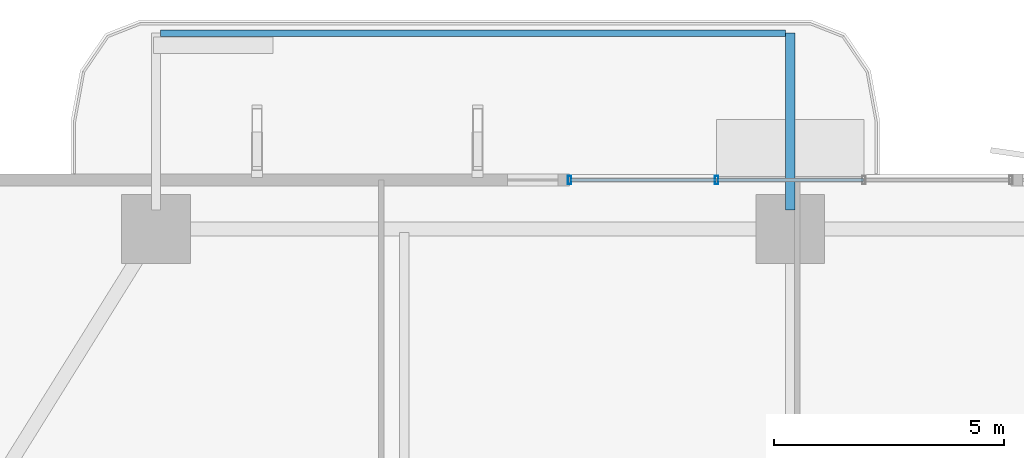
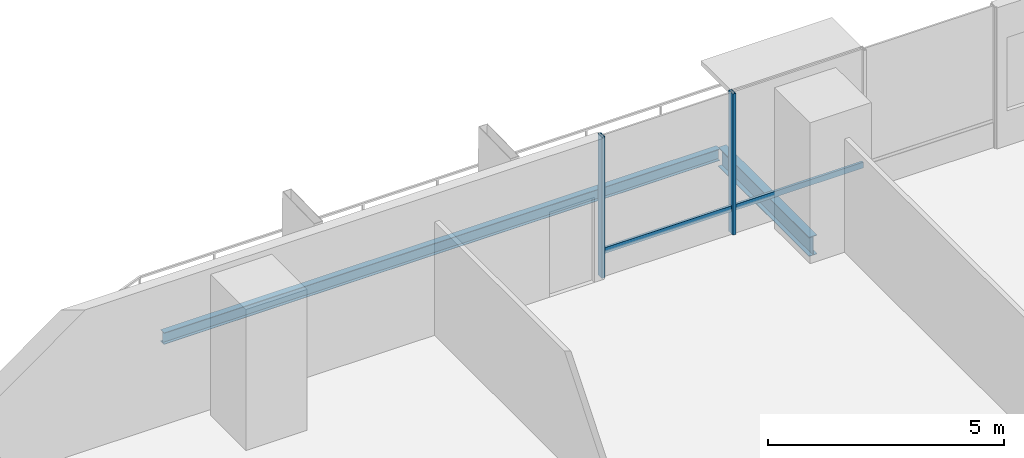
# One storey, part 11 of 24: 4 members, 2 beams, 1 element without a shape of its own.
"""IFC4 building model written with IfcOpenShell, lengths in metres."""

import ifcopenshell
import ifcopenshell.guid

model = None  # the IFC model being written
_history = None  # IfcOwnerHistory: only IFC2X3 demands one
_inside = {}  # id of a spatial element -> (the spatial element, [elements in it])
_under = {}  # id of a project, library or spatial element -> (it, [spatial elements below it])
_declared = {}  # id of a project -> (the project, [libraries it declares])
_typed = {}  # id of a type object -> (the type object, [elements of that type])
_made_of = {}  # id of a material, layer set ... -> (it, [elements and type objects made of it])


def new_model(schema):
    """Start an empty IFC model of exactly this schema.

    Asked for "IFC4X3", IfcOpenShell would pick the latest addendum, in which some entities
    have other attributes; the version numbers below select the first issue.
    IFC2X3 requires an IfcOwnerHistory on every rooted entity: one is made here for all.
    """
    global model, _history
    if schema == "IFC4X3":
        model = ifcopenshell.file(schema_version=(4, 3, 0, 0))
    else:
        model = ifcopenshell.file(schema=schema)
    _inside.clear()
    _under.clear()
    _declared.clear()
    _typed.clear()
    _made_of.clear()
    _history = None
    if model.schema == "IFC2X3":
        org = make("IfcOrganization", Name="unknown")
        user = make(
            "IfcPersonAndOrganization",
            ThePerson=make("IfcPerson", FamilyName="unknown"),
            TheOrganization=org,
        )
        app = make(
            "IfcApplication",
            ApplicationDeveloper=org,
            Version="unknown",
            ApplicationFullName="unknown",
            ApplicationIdentifier="unknown",
        )
        _history = make(
            "IfcOwnerHistory",
            OwningUser=user,
            OwningApplication=app,
            ChangeAction="ADDED",
            CreationDate=0,
        )
    return model


def make(cls, **values):
    """One entity of the class cls with the attributes given. An attribute that is None is left unset."""
    return model.create_entity(
        cls, **{name: value for name, value in values.items() if value is not None}
    )


def rooted(cls, **values):
    """An entity with a GlobalId (a new one), such as an element, a storey or a relation."""
    return make(cls, GlobalId=ifcopenshell.guid.new(), OwnerHistory=_history, **values)


def si_unit(unit_type, name, prefix=None):
    """IfcSIUnit, for example si_unit("LENGTHUNIT", "METRE", prefix="MILLI")."""
    return make("IfcSIUnit", UnitType=unit_type, Prefix=prefix, Name=name)


def assignment(units):
    """IfcUnitAssignment: the units of a project."""
    return None if units is None else make("IfcUnitAssignment", Units=units)


def point(xyz):
    """IfcCartesianPoint."""
    return None if xyz is None else make("IfcCartesianPoint", Coordinates=xyz)


def direction(xyz):
    """IfcDirection."""
    return None if xyz is None else make("IfcDirection", DirectionRatios=xyz)


def frame(location, z_axis=None, x_axis=None):
    """IfcAxis2Placement3D, a coordinate frame: its origin and axes. An axis left out is left unset."""
    return make(
        "IfcAxis2Placement3D",
        Location=point(location),
        Axis=direction(z_axis),
        RefDirection=direction(x_axis),
    )


def frame_2d(location, x_axis=None):
    """IfcAxis2Placement2D, a coordinate frame in the plane: its origin and x axis."""
    return make(
        "IfcAxis2Placement2D", Location=point(location), RefDirection=direction(x_axis)
    )


def origin():
    """The frame at (0, 0, 0) with its axes left unset."""
    return frame((0.0, 0.0, 0.0))


def origin_2d():
    """The frame at (0, 0) in the plane with its x axis left unset."""
    return frame_2d((0.0, 0.0))


def place(relative_to, where):
    """IfcLocalPlacement: puts the frame where relative to a parent placement (None: the world)."""
    return make(
        "IfcLocalPlacement", PlacementRelTo=relative_to, RelativePlacement=where
    )


def context(
    kind, dimensions, precision=None, world=None, true_north=None, identifier=None
):
    """IfcGeometricRepresentationContext, for example the 3D "Model" context."""
    return make(
        "IfcGeometricRepresentationContext",
        ContextIdentifier=identifier,
        ContextType=kind,
        CoordinateSpaceDimension=dimensions,
        Precision=precision,
        WorldCoordinateSystem=world,
        TrueNorth=true_north,
    )


def subcontext(parent, identifier, kind, view, scale=None):
    """IfcGeometricRepresentationSubContext, for example "Body" below "Model"."""
    return make(
        "IfcGeometricRepresentationSubContext",
        ContextIdentifier=identifier,
        ContextType=kind,
        ParentContext=parent,
        TargetScale=scale,
        TargetView=view,
    )


def project(units=None, contexts=None):
    """IfcProject with its units and contexts."""
    return rooted(
        "IfcProject",
        Name="project",
        RepresentationContexts=contexts,
        UnitsInContext=assignment(units),
    )


def spatial(cls, under=None, at=None, **own):
    """A site, building, storey or space (cls), placed at a placement, below another one or the project."""
    s = rooted(cls, ObjectPlacement=at, **own)
    if under is not None:
        _under.setdefault(under.id(), (under, []))[1].append(s)
    return s


def profile(cls, at=None, kind="AREA", **sizes):
    """A parametric profile (cls). Its sizes go by their IFC names, for example OverallWidth=200.0."""
    return make(cls, ProfileType=kind, Position=at, **sizes)


def hollow_rectangle(**sizes):
    """IfcRectangleHollowProfileDef."""
    return profile("IfcRectangleHollowProfileDef", **sizes)


def i_section(**sizes):
    """IfcIShapeProfileDef."""
    return profile("IfcIShapeProfileDef", **sizes)


def extrude(swept, where, along, depth):
    """IfcExtrudedAreaSolid: the profile swept, set in the frame where, extruded along a direction by depth."""
    return make(
        "IfcExtrudedAreaSolid",
        SweptArea=swept,
        Position=where,
        ExtrudedDirection=direction(along),
        Depth=depth,
    )


def shape(context_of_items, identifier, shape_type, items):
    """IfcShapeRepresentation: the items that make up one representation, for example the "Body"."""
    return make(
        "IfcShapeRepresentation",
        ContextOfItems=context_of_items,
        RepresentationIdentifier=identifier,
        RepresentationType=shape_type,
        Items=items,
    )


def material(Name=None, Category=None):
    """IfcMaterial."""
    return make("IfcMaterial", Name=Name, Category=Category)


def layer(
    of_material, thickness, ventilated=None, Name=None, Category=None, Priority=None
):
    """IfcMaterialLayer: one layer of a wall or slab, of a material (None: an air gap)."""
    return make(
        "IfcMaterialLayer",
        Material=of_material,
        LayerThickness=thickness,
        IsVentilated=ventilated,
        Name=Name,
        Category=Category,
        Priority=Priority,
    )


def layer_set(layers, Name=None):
    """IfcMaterialLayerSet."""
    return make("IfcMaterialLayerSet", MaterialLayers=layers, LayerSetName=Name)


def material_profile(
    of_material, cross_section, Name=None, Category=None, Priority=None
):
    """IfcMaterialProfile: a cross section and its material."""
    return make(
        "IfcMaterialProfile",
        Name=Name,
        Material=of_material,
        Profile=cross_section,
        Priority=Priority,
        Category=Category,
    )


def profile_set(profiles, Name=None, composite=None):
    """IfcMaterialProfileSet."""
    return make(
        "IfcMaterialProfileSet",
        Name=Name,
        MaterialProfiles=profiles,
        CompositeProfile=composite,
    )


def made_of(thing, what):
    """Note that an element or type object is made of a material, layer set ...; save() writes the relation."""
    if what is not None:
        _made_of.setdefault(what.id(), (what, []))[1].append(thing)
    return thing


def type_object(cls, material=None, **own):
    """A type object (cls), such as IfcWallType, which elements share."""
    return made_of(rooted(cls, **own), material)


def element(
    cls,
    number,
    at=None,
    inside=None,
    cuts=None,
    type_object=None,
    material=None,
    context=None,
    identifier="Body",
    shape_type=None,
    held_by="IfcProductDefinitionShape",
    body=None,
    shapes=None,
    **own,
):
    """One element of the class cls, such as IfcWall. Its Tag is "e" and its number.

    at: its placement. inside: the storey or other place that contains it. cuts: it is an
    opening in that element (IfcRelVoidsElement). A single representation is given by context,
    identifier, shape_type and body (its items); several are given by shapes. held_by: the class
    of the entity that holds the representations. save() writes the other relations.
    """
    e = rooted(cls, Tag="e%d" % number, ObjectPlacement=at, **own)
    if body is not None:
        shapes = [shape(context, identifier, shape_type, body)]
    if shapes is not None:
        e.Representation = make(held_by, Representations=shapes)
    if inside is not None:
        _inside.setdefault(inside.id(), (inside, []))[1].append(e)
    if cuts is not None:
        rooted(
            "IfcRelVoidsElement", RelatingBuildingElement=cuts, RelatedOpeningElement=e
        )
    if type_object is not None:
        _typed.setdefault(type_object.id(), (type_object, []))[1].append(e)
    return made_of(e, material)


def aggregate(whole, parts):
    """IfcRelAggregates: a whole, such as a stair, and the parts it consists of."""
    return rooted("IfcRelAggregates", RelatingObject=whole, RelatedObjects=parts)


def save(model, path):
    """Write the relations noted so far, then the file.

    IfcRelAggregates (storeys below a building ...), IfcRelContainedInSpatialStructure (elements
    in a storey), IfcRelDefinesByType, IfcRelAssociatesMaterial and IfcRelDeclares: one each for
    every whole, place, type object, material and project.
    """
    for whole, parts in _under.values():
        aggregate(whole, parts)
    for where, things in _inside.values():
        rooted(
            "IfcRelContainedInSpatialStructure",
            RelatedElements=things,
            RelatingStructure=where,
        )
    for kind, things in _typed.values():
        rooted("IfcRelDefinesByType", RelatedObjects=things, RelatingType=kind)
    for what, things in _made_of.values():
        rooted("IfcRelAssociatesMaterial", RelatedObjects=things, RelatingMaterial=what)
    for by, libraries in _declared.values():
        rooted("IfcRelDeclares", RelatingContext=by, RelatedDefinitions=libraries)
    model.write(path)


model = new_model("IFC4")

# Units and contexts
model_context = context("Model", 3, precision=1e-05, world=origin(), true_north=direction((0.0, 1.0)))
body_context = subcontext(model_context, "Body", "Model", "MODEL_VIEW")
ifc_project = project(units=[si_unit("LENGTHUNIT", "METRE"), si_unit("AREAUNIT", "SQUARE_METRE"), si_unit("VOLUMEUNIT", "CUBIC_METRE"), si_unit("PLANEANGLEUNIT", "RADIAN"), si_unit("MASSUNIT", "GRAM", prefix="KILO")], contexts=[model_context])

# Site, building, storey
site_placement = place(None, origin())
site = spatial("IfcSite", under=ifc_project, at=site_placement, CompositionType="ELEMENT")
building_placement = place(site_placement, origin())
building = spatial("IfcBuilding", under=site, at=building_placement, Name="Belovzor Exchange Tower", CompositionType="ELEMENT")
storey_placement = place(building_placement, frame((0.0, 0.0, 80.699951171875)))
storey = spatial("IfcBuildingStorey", under=building, at=storey_placement, Name="L19", CompositionType="ELEMENT", Elevation=80.699951171875)

# Beams
ifc_material_1 = material(Name="Steel S355", Category="steel")
ifc_material_profile_1 = material_profile(ifc_material_1, i_section(OverallWidth=0.199951171875, OverallDepth=0.5, WebThickness=0.01025390625, FlangeThickness=0.01611328125, at=origin_2d()))
ifc_profile_set_1 = profile_set([ifc_material_profile_1], Name="Steel S355")
beam_type_1 = type_object("IfcBeamType", Name="Planted Balcony Cantilever Beam IPE 500", PredefinedType="BEAM", material=ifc_profile_set_1)
beam_1_placement = place(storey_placement, frame((28.800048828125, 55.9130859375, -0.5), z_axis=(0.0, 1.0, 0.0), x_axis=(-1.0, 0.0, 0.0)))
element("IfcBeam", 1, at=beam_1_placement, inside=storey, type_object=beam_type_1, Name="BC-500 Planted Balcony Cantilever Beam IPE 500", PredefinedType="BEAM", context=body_context, shape_type="SweptSolid", body=[
    extrude(i_section(OverallWidth=0.199951171875, OverallDepth=0.5, WebThickness=0.01025390625, FlangeThickness=0.01611328125, at=origin_2d()), origin(), (0.0, 0.0, 1.0), 3.849853515625),
])
ifc_material_2 = material(Name="Steel S355", Category="steel")
ifc_material_profile_2 = material_profile(ifc_material_2, i_section(OverallWidth=0.14990234375, OverallDepth=0.300048828125, WebThickness=0.007080078125, FlangeThickness=0.0107421875, at=origin_2d()))
ifc_profile_set_2 = profile_set([ifc_material_profile_2], Name="Steel S355")
beam_type_2 = type_object("IfcBeamType", Name="Planted Balcony Fascia Edge Beam IPE 300", PredefinedType="BEAM", material=ifc_profile_set_2)
beam_2_placement = place(storey_placement, frame((28.699951171875, 59.762939453125, -0.39990234375), z_axis=(-1.0, 0.0, 0.0), x_axis=(0.0, -1.0, 0.0)))
element("IfcBeam", 2, at=beam_2_placement, inside=storey, type_object=beam_type_2, Name="BC-300 Planted Balcony Fascia Edge Beam IPE 300", PredefinedType="BEAM", context=body_context, shape_type="SweptSolid", body=[
    extrude(i_section(OverallWidth=0.14990234375, OverallDepth=0.300048828125, WebThickness=0.007080078125, FlangeThickness=0.0107421875, at=origin_2d()), origin(), (0.0, 0.0, 1.0), 13.599853515625),
])

# Curtain wall, members
ifc_material_3 = material(Name="Anodised Aluminium Framing", Category="aluminium")
ifc_layer = layer(ifc_material_3, 0.179931640625)
ifc_layer_set = layer_set([ifc_layer], Name="Anodised Aluminium Framing")
curtain_wall_type = type_object("IfcCurtainWallType", Name="Recessed Loggia Low-Iron Triple-Glazed Curtain Wall", PredefinedType="NOTDEFINED", material=ifc_layer_set)
curtain_wall_placement = place(storey_placement, origin())
curtain_wall = element("IfcCurtainWall", 3, at=curtain_wall_placement, inside=storey, type_object=curtain_wall_type, Name="CW3 Recessed Loggia Low-Iron Triple-Glazed Curtain Wall L19", PredefinedType="NOTDEFINED")
ifc_material_4 = material(Name="Steel S355", Category="steel")
ifc_material_profile_3 = material_profile(ifc_material_4, hollow_rectangle(XDim=0.074951171875, YDim=0.179931640625, WallThickness=0.0048828125, at=origin_2d()))
ifc_profile_set_3 = profile_set([ifc_material_profile_3], Name="Steel S355")
member_type_1 = type_object("IfcMemberType", Name="Thermally Broken Curtain Wall Mullion 180x75", PredefinedType="MULLION", material=ifc_profile_set_3)
member_1_placement = place(storey_placement, frame((24.0, 56.570068359375, 0.0), z_axis=(0.0, 0.0, 1.0), x_axis=(1.0, 0.0, 0.0)))
member_1 = element("IfcMember", 4, at=member_1_placement, type_object=member_type_1, Name="CW-M180 Curtain Wall Mullion 1", PredefinedType="MULLION", context=body_context, shape_type="SweptSolid", body=[
    extrude(hollow_rectangle(XDim=0.074951171875, YDim=0.179931640625, WallThickness=0.0048828125, at=origin_2d()), origin(), (0.0, 0.0, 1.0), 3.650146484375),
])
member_2_placement = place(storey_placement, frame((27.199951171875, 56.570068359375, 0.0), z_axis=(0.0, 0.0, 1.0), x_axis=(1.0, 0.0, 0.0)))
member_2 = element("IfcMember", 5, at=member_2_placement, type_object=member_type_1, Name="CW-M180 Curtain Wall Mullion 2", PredefinedType="MULLION", context=body_context, shape_type="SweptSolid", body=[
    extrude(hollow_rectangle(XDim=0.074951171875, YDim=0.179931640625, WallThickness=0.0048828125, at=origin_2d()), origin(), (0.0, 0.0, 1.0), 3.650146484375),
])
ifc_material_5 = material(Name="Steel S355", Category="steel")
ifc_material_profile_4 = material_profile(ifc_material_5, hollow_rectangle(XDim=0.06005859375, YDim=0.14990234375, WallThickness=0.00390625, at=origin_2d()))
ifc_profile_set_4 = profile_set([ifc_material_profile_4], Name="Steel S355")
member_type_2 = type_object("IfcMemberType", Name="Thermally Broken Curtain Wall Transom 150x60", PredefinedType="USERDEFINED", material=ifc_profile_set_4)
member_3_placement = place(storey_placement, frame((24.008056640625, 56.570068359375, 0.650146484375), z_axis=(1.0, 0.0, 0.0), x_axis=(0.0, 1.0, 0.0)))
member_3 = element("IfcMember", 6, at=member_3_placement, type_object=member_type_2, Name="CW-T150 Curtain Wall Transom 1", ObjectType="TRANSOM", PredefinedType="USERDEFINED", context=body_context, shape_type="SweptSolid", body=[
    extrude(hollow_rectangle(XDim=0.06005859375, YDim=0.14990234375, WallThickness=0.00390625, at=origin_2d()), origin(), (0.0, 0.0, 1.0), 3.183837890625),
])
member_4_placement = place(storey_placement, frame((27.2080078125, 56.570068359375, 0.650146484375), z_axis=(1.0, 0.0, 0.0), x_axis=(0.0, 1.0, 0.0)))
member_4 = element("IfcMember", 7, at=member_4_placement, type_object=member_type_2, Name="CW-T150 Curtain Wall Transom 2", ObjectType="TRANSOM", PredefinedType="USERDEFINED", context=body_context, shape_type="SweptSolid", body=[
    extrude(hollow_rectangle(XDim=0.06005859375, YDim=0.14990234375, WallThickness=0.00390625, at=origin_2d()), origin(), (0.0, 0.0, 1.0), 3.18408203125),
])
aggregate(curtain_wall, [member_1, member_2, member_3, member_4])

save(model, "model.ifc")
